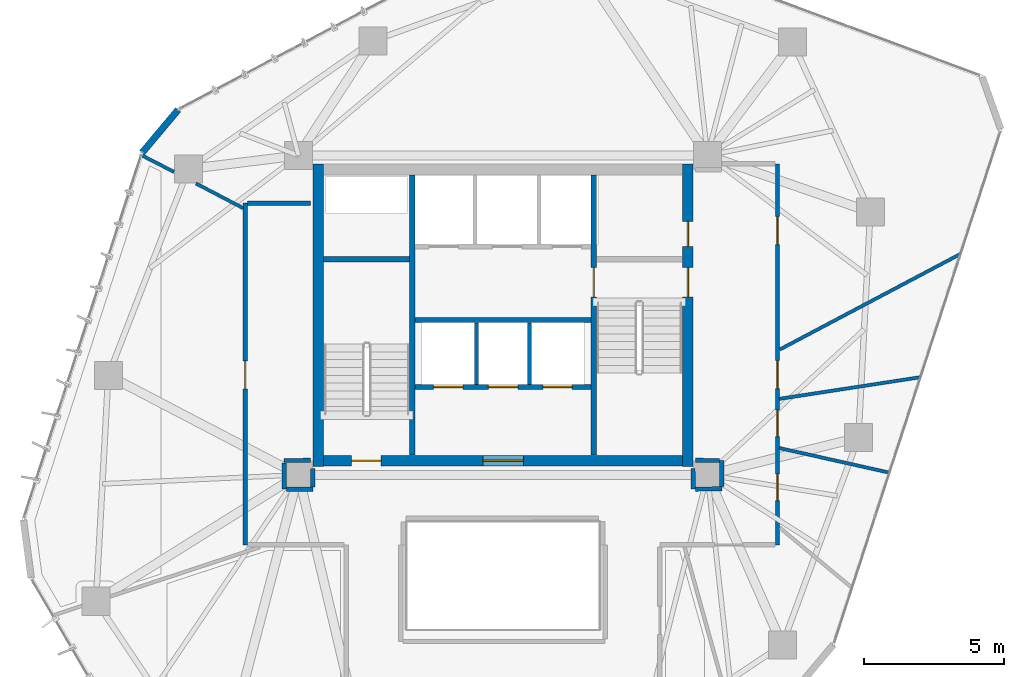
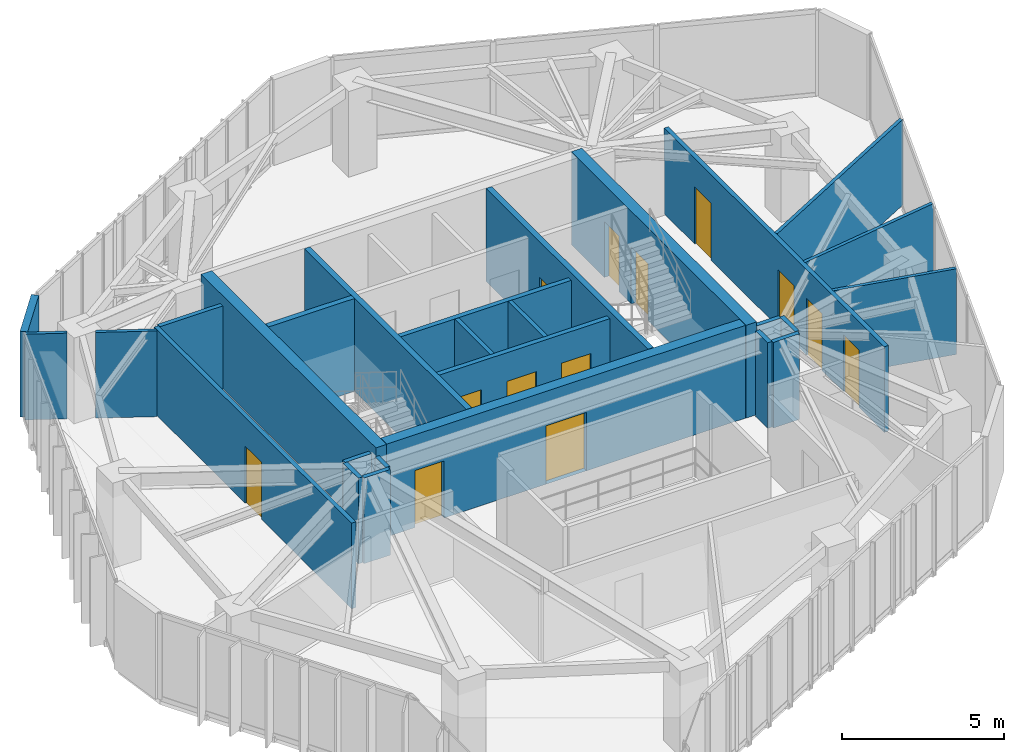
# One storey, part 16 of 19: 27 walls, 13 doors, 13 openings.
"""IFC4 building model written with IfcOpenShell, lengths in metres."""

from ifc_helpers import new_model, si_unit, direction, frame, frame_2d, origin, place, context, subcontext, project, spatial, rectangle, extrude, source, transform, mapped, material, layer, layer_set, type_object, type_shapes, element, fill, save


model = new_model("IFC4")

# Units and contexts
model_context = context("Model", 3, precision=1e-05, world=origin(), true_north=direction((0.0, 1.0)))
body_context = subcontext(model_context, "Body", "Model", "MODEL_VIEW")
ifc_project = project(units=[si_unit("LENGTHUNIT", "METRE"), si_unit("AREAUNIT", "SQUARE_METRE"), si_unit("VOLUMEUNIT", "CUBIC_METRE"), si_unit("PLANEANGLEUNIT", "RADIAN"), si_unit("MASSUNIT", "GRAM", prefix="KILO")], contexts=[model_context])

# Site, building, storey
site_placement = place(None, origin())
site = spatial("IfcSite", under=ifc_project, at=site_placement, CompositionType="ELEMENT")
building_placement = place(site_placement, origin())
building = spatial("IfcBuilding", under=site, at=building_placement, Name="Talar Marvaseh", CompositionType="ELEMENT")
storey_placement = place(building_placement, frame((0.0, 0.0, 174.0)))
storey = spatial("IfcBuildingStorey", under=building, at=storey_placement, Name="L45", CompositionType="ELEMENT", Elevation=174.0)

# Wall
ifc_material_1 = material(Name="Precast concrete C45/55", Category="concrete")
ifc_layer_1 = layer(ifc_material_1, 0.239990234375)
ifc_layer_set_1 = layer_set([ifc_layer_1], Name="Precast concrete C45/55")
wall_type_1 = type_object("IfcWallType", Name="Chamfered Hexagonal Corner Pier Wall Z3 240", PredefinedType="SOLIDWALL", material=ifc_layer_set_1)
wall_1_placement = place(storey_placement, frame((13.118408203125, 37.00146484375, 0.0), z_axis=(0.0, 0.0, 1.0), x_axis=(0.642806121031, 0.766028909875, 0.0)))
element("IfcWall", 1, at=wall_1_placement, inside=storey, type_object=wall_type_1, Name="L45 Chamfered Corner Limestone Pier 3", PredefinedType="SOLIDWALL", context=body_context, shape_type="SweptSolid", body=[
    extrude(rectangle(XDim=2.003173828125, YDim=0.239990234375, at=frame_2d((1.00146484375, 0.0))), origin(), (0.0, 0.0, 1.0), 3.22998046875),
])

# Wall, opening, door
ifc_material_2 = material(Name="Gypsum Board Partition Assembly")
ifc_layer_2 = layer(ifc_material_2, 0.155029296875)
ifc_layer_set_2 = layer_set([ifc_layer_2], Name="Gypsum Board Partition Assembly")
wall_type_2 = type_object("IfcWallType", Name="Corridor Fire-Rated Acoustic Partition 155", PredefinedType="PARTITIONING", material=ifc_layer_set_2)
wall_2_placement = place(storey_placement, frame((16.800048828125, 23.0, 0.0), z_axis=(0.0, 0.0, 1.0), x_axis=(0.0, 1.0, 0.0)))
wall_2 = element("IfcWall", 2, at=wall_2_placement, inside=storey, type_object=wall_type_2, Name="L45 Interior Partition Wall", PredefinedType="PARTITIONING", context=body_context, shape_type="SweptSolid", body=[
    extrude(rectangle(XDim=12.199951171875, YDim=0.155029296875, at=frame_2d((6.10009765625, 0.0))), origin(), (0.0, 0.0, 1.0), 3.22998046875),
])
opening_1_placement = place(wall_2_placement, frame((5.5712890625, 0.0, 0.0)))
opening_1 = element("IfcOpeningElement", 3, at=opening_1_placement, cuts=wall_2, Name="Opening DR-RM100", PredefinedType="OPENING", context=body_context, shape_type="SweptSolid", body=[
    extrude(rectangle(XDim=1.0, YDim=2.14990234375, at=frame_2d((0.5, 1.074951171875))), frame((0.0, 0.08740234375, 0.0), z_axis=(0.0, -1.0, 0.0), x_axis=(1.0, 0.0, 0.0)), (0.0, 0.0, 1.0), 0.175048828125),
])
ifc_material_3 = material(Name="Acoustic Engineered Oak Timber", Category="wood")
door_type_1 = type_object("IfcDoorType", Name="Corridor Fire-Rated Gallery Door 1000x2150", OperationType="NOTDEFINED", PredefinedType="DOOR", material=ifc_material_3)
shared_shape_1 = source(origin(), body_context, "Body", "SweptSolid", [
    extrude(rectangle(XDim=1.0, YDim=2.14990234375, at=frame_2d((0.5, 1.074951171875))), frame((0.0, 0.02490234375, 0.0), z_axis=(0.0, -1.0, 0.0), x_axis=(1.0, 0.0, 0.0)), (0.0, 0.0, 1.0), 0.050048828125),
])
type_shapes(door_type_1, [shared_shape_1])
door_1_placement = place(opening_1_placement, origin())
door_1 = element("IfcDoor", 4, at=door_1_placement, inside=storey, type_object=door_type_1, Name="L45 Archival Facsimile Boutique Door", OperationType="SINGLE_SWING_LEFT", OverallHeight=2.14990234375, OverallWidth=1.0, PredefinedType="DOOR", context=body_context, shape_type="MappedRepresentation", body=[
    mapped(shared_shape_1, transform((0.0, 0.0, 0.0), x_axis=(1.0, 0.0, 0.0), y_axis=(0.0, 1.0, 0.0), z_axis=(0.0, 0.0, 1.0), scale=1.0)),
])
fill(opening_1, door_1)

# Wall, openings, doors
wall_3_placement = place(storey_placement, frame((35.800048828125, 36.60009765625, 0.0), z_axis=(0.0, 0.0, 1.0), x_axis=(0.0, -1.0, 0.0)))
wall_3 = element("IfcWall", 5, at=wall_3_placement, inside=storey, type_object=wall_type_2, Name="L45 Interior Partition Wall", PredefinedType="PARTITIONING", context=body_context, shape_type="SweptSolid", body=[
    extrude(rectangle(XDim=13.60009765625, YDim=0.155029296875, at=frame_2d((6.800048828125, 0.0))), origin(), (0.0, 0.0, 1.0), 3.22998046875),
])
opening_2_placement = place(wall_3_placement, frame((11.07275390625, 0.0, 0.0)))
opening_2 = element("IfcOpeningElement", 6, at=opening_2_placement, cuts=wall_3, Name="Opening DR-WC095", PredefinedType="OPENING", context=body_context, shape_type="SweptSolid", body=[
    extrude(rectangle(XDim=0.949951171875, YDim=2.14990234375, at=frame_2d((0.47509765625, 1.074951171875))), frame((0.0, 0.08740234375, 0.0), z_axis=(0.0, -1.0, 0.0), x_axis=(1.0, 0.0, 0.0)), (0.0, 0.0, 1.0), 0.175048828125),
])
opening_3_placement = place(wall_3_placement, frame((8.789794921875, 0.0, 0.0)))
opening_3 = element("IfcOpeningElement", 7, at=opening_3_placement, cuts=wall_3, Name="Opening DR-WC095", PredefinedType="OPENING", context=body_context, shape_type="SweptSolid", body=[
    extrude(rectangle(XDim=0.949951171875, YDim=2.14990234375, at=frame_2d((0.47509765625, 1.074951171875))), frame((0.0, 0.08740234375, 0.0), z_axis=(0.0, -1.0, 0.0), x_axis=(1.0, 0.0, 0.0)), (0.0, 0.0, 1.0), 0.175048828125),
])
opening_4_placement = place(wall_3_placement, frame((7.023681640625, 0.0, 0.0)))
opening_4 = element("IfcOpeningElement", 8, at=opening_4_placement, cuts=wall_3, Name="Opening DR-RM100", PredefinedType="OPENING", context=body_context, shape_type="SweptSolid", body=[
    extrude(rectangle(XDim=1.0, YDim=2.14990234375, at=frame_2d((0.5, 1.074951171875))), frame((0.0, 0.08740234375, 0.0), z_axis=(0.0, -1.0, 0.0), x_axis=(1.0, 0.0, 0.0)), (0.0, 0.0, 1.0), 0.175048828125),
])
opening_5_placement = place(wall_3_placement, frame((1.883056640625, 0.0, 0.0)))
opening_5 = element("IfcOpeningElement", 9, at=opening_5_placement, cuts=wall_3, Name="Opening DR-RM100", PredefinedType="OPENING", context=body_context, shape_type="SweptSolid", body=[
    extrude(rectangle(XDim=1.0, YDim=2.14990234375, at=frame_2d((0.5, 1.074951171875))), frame((0.0, 0.08740234375, 0.0), z_axis=(0.0, -1.0, 0.0), x_axis=(1.0, 0.0, 0.0)), (0.0, 0.0, 1.0), 0.175048828125),
])
door_type_2 = type_object("IfcDoorType", Name="Washroom and Service Room Door 950x2150", OperationType="NOTDEFINED", PredefinedType="DOOR", material=ifc_material_3)
shared_shape_2 = source(origin(), body_context, "Body", "SweptSolid", [
    extrude(rectangle(XDim=0.949951171875, YDim=2.14990234375, at=frame_2d((0.47509765625, 1.074951171875))), frame((0.0, 0.02490234375, 0.0), z_axis=(0.0, -1.0, 0.0), x_axis=(1.0, 0.0, 0.0)), (0.0, 0.0, 1.0), 0.050048828125),
])
type_shapes(door_type_2, [shared_shape_2])
door_2_placement = place(opening_2_placement, origin())
door_2 = element("IfcDoor", 10, at=door_2_placement, inside=storey, type_object=door_type_2, Name="L45 Accessible WC Door", OperationType="SINGLE_SWING_LEFT", OverallHeight=2.14990234375, OverallWidth=0.949951171875, PredefinedType="DOOR", context=body_context, shape_type="MappedRepresentation", body=[
    mapped(shared_shape_2, transform((0.0, 0.0, 0.0), x_axis=(1.0, 0.0, 0.0), y_axis=(0.0, 1.0, 0.0), z_axis=(0.0, 0.0, 1.0), scale=1.0)),
])
fill(opening_2, door_2)
door_3_placement = place(opening_3_placement, origin())
door_3 = element("IfcDoor", 11, at=door_3_placement, inside=storey, type_object=door_type_2, Name="L45 WC Public Washrooms Door", OperationType="SINGLE_SWING_RIGHT", OverallHeight=2.14990234375, OverallWidth=0.949951171875, PredefinedType="DOOR", context=body_context, shape_type="MappedRepresentation", body=[
    mapped(shared_shape_2, transform((0.0, 0.0, 0.0), x_axis=(1.0, 0.0, 0.0), y_axis=(0.0, 1.0, 0.0), z_axis=(0.0, 0.0, 1.0), scale=1.0)),
])
fill(opening_3, door_3)
door_4_placement = place(opening_4_placement, origin())
door_4 = element("IfcDoor", 12, at=door_4_placement, inside=storey, type_object=door_type_1, Name="L45 Artisan Craft Showroom Door", OperationType="SINGLE_SWING_LEFT", OverallHeight=2.14990234375, OverallWidth=1.0, PredefinedType="DOOR", context=body_context, shape_type="MappedRepresentation", body=[
    mapped(shared_shape_1, transform((0.0, 0.0, 0.0), x_axis=(1.0, 0.0, 0.0), y_axis=(0.0, 1.0, 0.0), z_axis=(0.0, 0.0, 1.0), scale=1.0)),
])
fill(opening_4, door_4)
door_5_placement = place(opening_5_placement, origin())
door_5 = element("IfcDoor", 13, at=door_5_placement, inside=storey, type_object=door_type_1, Name="L45 Conservation Briefing Room Door", OperationType="SINGLE_SWING_RIGHT", OverallHeight=2.14990234375, OverallWidth=1.0, PredefinedType="DOOR", context=body_context, shape_type="MappedRepresentation", body=[
    mapped(shared_shape_1, transform((0.0, 0.0, 0.0), x_axis=(1.0, 0.0, 0.0), y_axis=(0.0, 1.0, 0.0), z_axis=(0.0, 0.0, 1.0), scale=1.0)),
])
fill(opening_5, door_5)

# Walls
wall_4_placement = place(storey_placement, frame((16.883544921875, 35.199951171875, 0.0), z_axis=(0.0, 0.0, 1.0), x_axis=(1.0, 0.0, 0.0)))
element("IfcWall", 14, at=wall_4_placement, inside=storey, type_object=wall_type_2, Name="L45 Interior Partition Wall", PredefinedType="PARTITIONING", context=body_context, shape_type="SweptSolid", body=[
    extrude(rectangle(XDim=2.246337890625, YDim=0.155029296875, at=frame_2d((1.123046875, 0.0))), origin(), (0.0, 0.0, 1.0), 3.22998046875),
])
wall_5_placement = place(storey_placement, frame((19.1298828125, 26.0146484375, 0.0), z_axis=(0.0, 0.0, 1.0), x_axis=(-0.99999026157, -0.004413248818, 0.0)))
element("IfcWall", 15, at=wall_5_placement, inside=storey, type_object=wall_type_2, Name="L45 Interior Partition Wall", PredefinedType="PARTITIONING", context=body_context, shape_type="SweptSolid", body=[
    extrude(rectangle(XDim=0.9404296875, YDim=0.155029296875, at=frame_2d((0.47021484375, 0.0))), origin(), (0.0, 0.0, 1.0), 3.22998046875),
])
wall_6_placement = place(storey_placement, frame((18.189697265625, 25.927001953125, 0.0), z_axis=(0.0, 0.0, 1.0), x_axis=(0.002078997586, -0.999997838882, 0.0)))
element("IfcWall", 16, at=wall_6_placement, inside=storey, type_object=wall_type_2, Name="L45 Interior Partition Wall", PredefinedType="PARTITIONING", context=body_context, shape_type="SweptSolid", body=[
    extrude(rectangle(XDim=0.939453125, YDim=0.155029296875, at=frame_2d((0.4697265625, 0.0))), origin(), (0.0, 0.0, 1.0), 3.22998046875),
])
wall_7_placement = place(storey_placement, frame((18.275146484375, 24.987548828125, 0.0), z_axis=(0.0, 0.0, 1.0), x_axis=(0.999999692748, 0.0007839036, 0.0)))
element("IfcWall", 17, at=wall_7_placement, inside=storey, type_object=wall_type_2, Name="L45 Interior Partition Wall", PredefinedType="PARTITIONING", context=body_context, shape_type="SweptSolid", body=[
    extrude(rectangle(XDim=0.934326171875, YDim=0.155029296875, at=frame_2d((0.46728515625, 0.0))), origin(), (0.0, 0.0, 1.0), 3.22998046875),
])
wall_8_placement = place(storey_placement, frame((19.210205078125, 25.072021484375, 0.0), z_axis=(0.0, 0.0, 1.0), x_axis=(0.007420945932, 0.999972464402, 0.0)))
element("IfcWall", 18, at=wall_8_placement, inside=storey, type_object=wall_type_2, Name="L45 Interior Partition Wall", PredefinedType="PARTITIONING", context=body_context, shape_type="SweptSolid", body=[
    extrude(rectangle(XDim=0.657958984375, YDim=0.155029296875, at=frame_2d((0.3291015625, 0.0))), origin(), (0.0, 0.0, 1.0), 3.22998046875),
])
wall_9_placement = place(storey_placement, frame((32.784912109375, 25.72998046875, 0.0), z_axis=(0.0, 0.0, 1.0), x_axis=(0.007570553288, -0.999971342951, 0.0)))
element("IfcWall", 19, at=wall_9_placement, inside=storey, type_object=wall_type_2, Name="L45 Interior Partition Wall", PredefinedType="PARTITIONING", context=body_context, shape_type="SweptSolid", body=[
    extrude(rectangle(XDim=0.74169921875, YDim=0.155029296875, at=frame_2d((0.370849609375, 0.0))), origin(), (0.0, 0.0, 1.0), 3.22998046875),
])
wall_10_placement = place(storey_placement, frame((32.8740234375, 24.9892578125, 0.0), z_axis=(0.0, 0.0, 1.0), x_axis=(0.999934835738, 0.01141596595, 0.0)))
element("IfcWall", 20, at=wall_10_placement, inside=storey, type_object=wall_type_2, Name="L45 Interior Partition Wall", PredefinedType="PARTITIONING", context=body_context, shape_type="SweptSolid", body=[
    extrude(rectangle(XDim=0.94091796875, YDim=0.155029296875, at=frame_2d((0.470458984375, 0.0))), origin(), (0.0, 0.0, 1.0), 3.22998046875),
])
wall_11_placement = place(storey_placement, frame((33.814697265625, 25.08349609375, 0.0), z_axis=(0.0, 0.0, 1.0), x_axis=(-0.004477173984, 0.999989977406, 0.0)))
element("IfcWall", 21, at=wall_11_placement, inside=storey, type_object=wall_type_2, Name="L45 Interior Partition Wall", PredefinedType="PARTITIONING", context=body_context, shape_type="SweptSolid", body=[
    extrude(rectangle(XDim=0.927001953125, YDim=0.155029296875, at=frame_2d((0.46337890625, 0.0))), origin(), (0.0, 0.0, 1.0), 3.22998046875),
])
wall_12_placement = place(storey_placement, frame((33.72705078125, 26.010986328125, 0.0), z_axis=(0.0, 0.0, 1.0), x_axis=(-0.999990868706, 0.004273465251, 0.0)))
element("IfcWall", 22, at=wall_12_placement, inside=storey, type_object=wall_type_2, Name="L45 Interior Partition Wall", PredefinedType="PARTITIONING", context=body_context, shape_type="SweptSolid", body=[
    extrude(rectangle(XDim=0.85693359375, YDim=0.155029296875, at=frame_2d((0.428466796875, 0.0))), origin(), (0.0, 0.0, 1.0), 3.22998046875),
])
ifc_layer_3 = layer(ifc_material_2, 0.1201171875)
ifc_layer_set_3 = layer_set([ifc_layer_3], Name="Gypsum Board Partition Assembly")
wall_type_3 = type_object("IfcWallType", Name="Demountable Studio Room Partition 120", PredefinedType="PARTITIONING", material=ifc_layer_set_3)
wall_13_placement = place(storey_placement, frame((35.86328125, 26.455810546875, 0.0), z_axis=(0.0, 0.0, 1.0), x_axis=(0.975883640592, -0.21829136498, 0.0)))
element("IfcWall", 23, at=wall_13_placement, inside=storey, type_object=wall_type_3, Name="L45 Interior Partition Wall", PredefinedType="PARTITIONING", context=body_context, shape_type="SweptSolid", body=[
    extrude(rectangle(XDim=4.00732421875, YDim=0.1201171875, at=frame_2d((2.003662109375, 0.0))), origin(), (0.0, 0.0, 1.0), 3.22998046875),
])
wall_14_placement = place(storey_placement, frame((35.8642578125, 28.2099609375, 0.0), z_axis=(0.0, 0.0, 1.0), x_axis=(0.988399480334, 0.151876486906, 0.0)))
element("IfcWall", 24, at=wall_14_placement, inside=storey, type_object=wall_type_3, Name="L45 Interior Partition Wall", PredefinedType="PARTITIONING", context=body_context, shape_type="SweptSolid", body=[
    extrude(rectangle(XDim=5.076416015625, YDim=0.1201171875, at=frame_2d((2.5380859375, 0.0))), origin(), (0.0, 0.0, 1.0), 3.22998046875),
])
wall_15_placement = place(storey_placement, frame((35.883544921875, 29.97412109375, 0.0), z_axis=(0.0, 0.0, 1.0), x_axis=(0.884048985964, 0.467394255865, 0.0)))
element("IfcWall", 25, at=wall_15_placement, inside=storey, type_object=wall_type_3, Name="L45 Interior Partition Wall", PredefinedType="PARTITIONING", context=body_context, shape_type="SweptSolid", body=[
    extrude(rectangle(XDim=7.275146484375, YDim=0.1201171875, at=frame_2d((3.6376953125, 0.0))), origin(), (0.0, 0.0, 1.0), 3.22998046875),
])
wall_16_placement = place(storey_placement, frame((16.716552734375, 35.023681640625, 0.0), z_axis=(0.0, 0.0, 1.0), x_axis=(-0.886255547382, 0.463196615633, 0.0)))
element("IfcWall", 26, at=wall_16_placement, inside=storey, type_object=wall_type_3, Name="L45 Interior Partition Wall", PredefinedType="PARTITIONING", context=body_context, shape_type="SweptSolid", body=[
    extrude(rectangle(XDim=1.8916015625, YDim=0.1201171875, at=frame_2d((0.94580078125, 0.0))), origin(), (0.0, 0.0, 1.0), 3.22998046875),
])
wall_17_placement = place(storey_placement, frame((14.260009765625, 36.31005859375, 0.0), z_axis=(0.0, 0.0, 1.0), x_axis=(-0.889011747183, 0.457884388651, 0.0)))
element("IfcWall", 27, at=wall_17_placement, inside=storey, type_object=wall_type_3, Name="L45 Interior Partition Wall", PredefinedType="PARTITIONING", context=body_context, shape_type="SweptSolid", body=[
    extrude(rectangle(XDim=1.295654296875, YDim=0.1201171875, at=frame_2d((0.64794921875, 0.0))), origin(), (0.0, 0.0, 1.0), 3.22998046875),
])
ifc_layer_4 = layer(ifc_material_1, 0.14501953125)
ifc_layer_set_4 = layer_set([ifc_layer_4], Name="Precast concrete C45/55")
wall_type_4 = type_object("IfcWallType", Name="Fire-Rated Lift Divider Wall 145", PredefinedType="SOLIDWALL", material=ifc_layer_set_4)
for number, where, z_axis, x_axis, name in (
    (28, (25.050048828125, 28.719970703125, 0.0), (0.0, 0.0, 1.0), (0.0, 1.0, 0.0), "L45 PL-H1/PL-H2 Divider"),
    (29, (26.949951171875, 28.719970703125, 0.0), (0.0, 0.0, 1.0), (0.0, 1.0, 0.0), "L45 PL-H2/PL-H3 Divider"),
):
    element("IfcWall", number, at=place(storey_placement, frame(where, z_axis=z_axis, x_axis=x_axis)), inside=storey, type_object=wall_type_4, Name=name, PredefinedType="SOLIDWALL", context=body_context, shape_type="SweptSolid", body=[
        extrude(rectangle(XDim=2.20654296875, YDim=0.14501953125, at=frame_2d((1.103271484375, 0.0))), origin(), (0.0, 0.0, 1.0), 3.22998046875),
    ])
ifc_layer_5 = layer(ifc_material_1, 0.175048828125)
ifc_layer_set_5 = layer_set([ifc_layer_5], Name="Precast concrete C45/55")
wall_type_5 = type_object("IfcWallType", Name="Fire-Rated Lift Hoistway Enclosure Wall 175", PredefinedType="SOLIDWALL", material=ifc_layer_set_5)
wall_18_placement = place(storey_placement, frame((22.860107421875, 31.02001953125, 0.0), z_axis=(0.0, 0.0, 1.0), x_axis=(1.0, 0.0, 0.0)))
element("IfcWall", 30, at=wall_18_placement, inside=storey, type_object=wall_type_5, Name="L45 Firefighting Lobby South Smoke Wall", PredefinedType="SOLIDWALL", context=body_context, shape_type="SweptSolid", body=[
    extrude(rectangle(XDim=6.27978515625, YDim=0.175048828125, at=frame_2d((3.139892578125, 0.0))), origin(), (0.0, 0.0, 1.0), 3.22998046875),
])

# Wall, openings, doors
wall_19_placement = place(storey_placement, frame((22.860107421875, 28.639892578125, 0.0), z_axis=(0.0, 0.0, 1.0), x_axis=(1.0, 0.0, 0.0)))
wall_19 = element("IfcWall", 31, at=wall_19_placement, inside=storey, type_object=wall_type_5, Name="L45 High-Rise Lift Bank Front Wall", PredefinedType="SOLIDWALL", context=body_context, shape_type="SweptSolid", body=[
    extrude(rectangle(XDim=6.27978515625, YDim=0.175048828125, at=frame_2d((3.139892578125, 0.0))), origin(), (0.0, 0.0, 1.0), 3.22998046875),
])
opening_6_placement = place(wall_19_placement, frame((0.659912109375, 0.0, 0.0)))
opening_6 = element("IfcOpeningElement", 32, at=opening_6_placement, cuts=wall_19, Name="Opening LD-PLH1", PredefinedType="OPENING", context=body_context, shape_type="SweptSolid", body=[
    extrude(rectangle(XDim=1.050048828125, YDim=2.14990234375, at=frame_2d((0.52490234375, 1.074951171875))), frame((0.0, 0.09765625, 0.0), z_axis=(0.0, -1.0, 0.0), x_axis=(1.0, 0.0, 0.0)), (0.0, 0.0, 1.0), 0.195068359375),
])
opening_7_placement = place(wall_19_placement, frame((2.6201171875, 0.0, 0.0)))
opening_7 = element("IfcOpeningElement", 33, at=opening_7_placement, cuts=wall_19, Name="Opening LD-PLH2", PredefinedType="OPENING", context=body_context, shape_type="SweptSolid", body=[
    extrude(rectangle(XDim=1.050048828125, YDim=2.14990234375, at=frame_2d((0.52490234375, 1.074951171875))), frame((0.0, 0.09765625, 0.0), z_axis=(0.0, -1.0, 0.0), x_axis=(1.0, 0.0, 0.0)), (0.0, 0.0, 1.0), 0.195068359375),
])
opening_8_placement = place(wall_19_placement, frame((4.56005859375, 0.0, 0.0)))
opening_8 = element("IfcOpeningElement", 34, at=opening_8_placement, cuts=wall_19, Name="Opening LD-PLH3", PredefinedType="OPENING", context=body_context, shape_type="SweptSolid", body=[
    extrude(rectangle(XDim=1.050048828125, YDim=2.14990234375, at=frame_2d((0.52490234375, 1.074951171875))), frame((0.0, 0.09765625, 0.0), z_axis=(0.0, -1.0, 0.0), x_axis=(1.0, 0.0, 0.0)), (0.0, 0.0, 1.0), 0.195068359375),
])
ifc_material_4 = material(Name="Stainless Steel Grade 316", Category="steel")
door_type_3 = type_object("IfcDoorType", Name="Automatic Sliding Lift Landing Door 1050x2150", OperationType="NOTDEFINED", PredefinedType="DOOR", material=ifc_material_4)
shared_shape_3 = source(origin(), body_context, "Body", "SweptSolid", [
    extrude(rectangle(XDim=1.050048828125, YDim=2.14990234375, at=frame_2d((0.52490234375, 1.074951171875))), frame((0.0, 0.02490234375, 0.0), z_axis=(0.0, -1.0, 0.0), x_axis=(1.0, 0.0, 0.0)), (0.0, 0.0, 1.0), 0.050048828125),
])
type_shapes(door_type_3, [shared_shape_3])
door_6_placement = place(opening_6_placement, origin())
door_6 = element("IfcDoor", 35, at=door_6_placement, inside=storey, type_object=door_type_3, Name="L45 Lift PL-H1 Sliding Landing Door", OperationType="SLIDING_TO_LEFT", OverallHeight=2.14990234375, OverallWidth=1.050048828125, PredefinedType="DOOR", context=body_context, shape_type="MappedRepresentation", body=[
    mapped(shared_shape_3, transform((0.0, 0.0, 0.0), x_axis=(1.0, 0.0, 0.0), y_axis=(0.0, 1.0, 0.0), z_axis=(0.0, 0.0, 1.0), scale=1.0)),
])
fill(opening_6, door_6)
door_7_placement = place(opening_7_placement, origin())
door_7 = element("IfcDoor", 36, at=door_7_placement, inside=storey, type_object=door_type_3, Name="L45 Lift PL-H2 Sliding Landing Door", OperationType="SLIDING_TO_LEFT", OverallHeight=2.14990234375, OverallWidth=1.050048828125, PredefinedType="DOOR", context=body_context, shape_type="MappedRepresentation", body=[
    mapped(shared_shape_3, transform((0.0, 0.0, 0.0), x_axis=(1.0, 0.0, 0.0), y_axis=(0.0, 1.0, 0.0), z_axis=(0.0, 0.0, 1.0), scale=1.0)),
])
fill(opening_7, door_7)
door_8_placement = place(opening_8_placement, origin())
door_8 = element("IfcDoor", 37, at=door_8_placement, inside=storey, type_object=door_type_3, Name="L45 Lift PL-H3 Sliding Landing Door", OperationType="SLIDING_TO_LEFT", OverallHeight=2.14990234375, OverallWidth=1.050048828125, PredefinedType="DOOR", context=body_context, shape_type="MappedRepresentation", body=[
    mapped(shared_shape_3, transform((0.0, 0.0, 0.0), x_axis=(1.0, 0.0, 0.0), y_axis=(0.0, 1.0, 0.0), z_axis=(0.0, 0.0, 1.0), scale=1.0)),
])
fill(opening_8, door_8)

# Wall
ifc_material_5 = material(Name="Concrete C60/75", Category="concrete")
ifc_layer_6 = layer(ifc_material_5, 0.3798828125)
ifc_layer_set_6 = layer_set([ifc_layer_6], Name="Concrete C60/75")
wall_type_6 = type_object("IfcWallType", Name="Mid Core Reinforced Concrete Shear Wall 380", PredefinedType="SHEAR", material=ifc_layer_set_6)
wall_20_placement = place(storey_placement, frame((19.39990234375, 25.800048828125, 0.0), z_axis=(0.0, 0.0, 1.0), x_axis=(0.0, 1.0, 0.0)))
element("IfcWall", 38, at=wall_20_placement, inside=storey, type_object=wall_type_6, Name="L45 West Core Shear Wall", PredefinedType="SHEAR", context=body_context, shape_type="SweptSolid", body=[
    extrude(rectangle(XDim=10.800048828125, YDim=0.3798828125, at=frame_2d((5.39990234375, 0.0))), origin(), (0.0, 0.0, 1.0), 3.5),
])

# Wall, openings, doors
wall_21_placement = place(storey_placement, frame((32.60009765625, 36.60009765625, 0.0), z_axis=(0.0, 0.0, 1.0), x_axis=(0.0, -1.0, 0.0)))
wall_21 = element("IfcWall", 39, at=wall_21_placement, inside=storey, type_object=wall_type_6, Name="L45 East Core Shear Wall", PredefinedType="SHEAR", context=body_context, shape_type="SweptSolid", body=[
    extrude(rectangle(XDim=10.800048828125, YDim=0.3798828125, at=frame_2d((5.39990234375, 0.0))), origin(), (0.0, 0.0, 1.0), 3.5),
])
opening_9_placement = place(wall_21_placement, frame((3.699951171875, 0.0, 0.0)))
opening_9 = element("IfcOpeningElement", 40, at=opening_9_placement, cuts=wall_21, Name="Opening DR-ST105", PredefinedType="OPENING", context=body_context, shape_type="SweptSolid", body=[
    extrude(rectangle(XDim=1.050048828125, YDim=2.14990234375, at=frame_2d((0.52490234375, 1.074951171875))), frame((0.0, 0.199951171875, 0.0), z_axis=(0.0, -1.0, 0.0), x_axis=(1.0, 0.0, 0.0)), (0.0, 0.0, 1.0), 0.39990234375),
])
opening_10_placement = place(wall_21_placement, frame((2.050048828125, 0.0, 0.0)))
opening_10 = element("IfcOpeningElement", 41, at=opening_10_placement, cuts=wall_21, Name="Opening DR-BOH090", PredefinedType="OPENING", context=body_context, shape_type="SweptSolid", body=[
    extrude(rectangle(XDim=0.89990234375, YDim=2.10009765625, at=frame_2d((0.449951171875, 1.050048828125))), frame((0.0, 0.199951171875, 0.0), z_axis=(0.0, -1.0, 0.0), x_axis=(1.0, 0.0, 0.0)), (0.0, 0.0, 1.0), 0.39990234375),
])
ifc_material_6 = material(Name="Fire-Rated Steel Door Leaf", Category="steel")
door_type_4 = type_object("IfcDoorType", Name="Protected Exit Stair Fire Door 1050x2150", OperationType="NOTDEFINED", PredefinedType="DOOR", material=ifc_material_6)
shared_shape_4 = source(origin(), body_context, "Body", "SweptSolid", [
    extrude(rectangle(XDim=1.050048828125, YDim=2.14990234375, at=frame_2d((0.52490234375, 1.074951171875))), frame((0.0, 0.02490234375, 0.0), z_axis=(0.0, -1.0, 0.0), x_axis=(1.0, 0.0, 0.0)), (0.0, 0.0, 1.0), 0.050048828125),
])
type_shapes(door_type_4, [shared_shape_4])
door_9_placement = place(opening_9_placement, origin())
door_9 = element("IfcDoor", 42, at=door_9_placement, inside=storey, type_object=door_type_4, Name="L45 Stair ST-2 Corridor Exit Door", OperationType="SINGLE_SWING_LEFT", OverallHeight=2.14990234375, OverallWidth=1.050048828125, PredefinedType="DOOR", context=body_context, shape_type="MappedRepresentation", body=[
    mapped(shared_shape_4, transform((0.0, 0.0, 0.0), x_axis=(1.0, 0.0, 0.0), y_axis=(0.0, 1.0, 0.0), z_axis=(0.0, 0.0, 1.0), scale=1.0)),
])
fill(opening_9, door_9)
door_type_5 = type_object("IfcDoorType", Name="Core Back-of-House Service Door 900x2100", OperationType="NOTDEFINED", PredefinedType="DOOR", material=ifc_material_6)
shared_shape_5 = source(origin(), body_context, "Body", "SweptSolid", [
    extrude(rectangle(XDim=0.89990234375, YDim=2.10009765625, at=frame_2d((0.449951171875, 1.050048828125))), frame((0.0, 0.02490234375, 0.0), z_axis=(0.0, -1.0, 0.0), x_axis=(1.0, 0.0, 0.0)), (0.0, 0.0, 1.0), 0.050048828125),
])
type_shapes(door_type_5, [shared_shape_5])
door_10_placement = place(opening_10_placement, origin())
door_10 = element("IfcDoor", 43, at=door_10_placement, inside=storey, type_object=door_type_5, Name="L45 Store Core East Archive Room Door", OperationType="SINGLE_SWING_RIGHT", OverallHeight=2.10009765625, OverallWidth=0.89990234375, PredefinedType="DOOR", context=body_context, shape_type="MappedRepresentation", body=[
    mapped(shared_shape_5, transform((0.0, 0.0, 0.0), x_axis=(1.0, 0.0, 0.0), y_axis=(0.0, 1.0, 0.0), z_axis=(0.0, 0.0, 1.0), scale=1.0)),
])
fill(opening_10, door_10)

wall_22_placement = place(storey_placement, frame((32.39990234375, 26.0, 0.0), z_axis=(0.0, 0.0, 1.0), x_axis=(-1.0, 0.0, 0.0)))
wall_22 = element("IfcWall", 44, at=wall_22_placement, inside=storey, type_object=wall_type_6, Name="L45 South Core Shear Wall", PredefinedType="SHEAR", context=body_context, shape_type="SweptSolid", body=[
    extrude(rectangle(XDim=12.7998046875, YDim=0.3798828125, at=frame_2d((6.39990234375, 0.0))), origin(), (0.0, 0.0, 1.0), 3.5),
])
opening_11_placement = place(wall_22_placement, frame((10.75, 0.0, 0.0)))
opening_11 = element("IfcOpeningElement", 45, at=opening_11_placement, cuts=wall_22, Name="Opening DR-ST105", PredefinedType="OPENING", context=body_context, shape_type="SweptSolid", body=[
    extrude(rectangle(XDim=1.050048828125, YDim=2.14990234375, at=frame_2d((0.52490234375, 1.074951171875))), frame((0.0, 0.199951171875, 0.0), z_axis=(0.0, -1.0, 0.0), x_axis=(1.0, 0.0, 0.0)), (0.0, 0.0, 1.0), 0.39990234375),
])
opening_12_placement = place(wall_22_placement, frame((5.669921875, 0.0, 0.0)))
opening_12 = element("IfcOpeningElement", 46, at=opening_12_placement, cuts=wall_22, Name="Opening DR-LBY145", PredefinedType="OPENING", context=body_context, shape_type="SweptSolid", body=[
    extrude(rectangle(XDim=1.449951171875, YDim=2.199951171875, at=frame_2d((0.72509765625, 1.10009765625))), frame((0.0, 0.199951171875, 0.0), z_axis=(0.0, -1.0, 0.0), x_axis=(1.0, 0.0, 0.0)), (0.0, 0.0, 1.0), 0.39990234375),
])
door_11_placement = place(opening_11_placement, origin())
door_11 = element("IfcDoor", 47, at=door_11_placement, inside=storey, type_object=door_type_4, Name="L45 Stair ST-1 Exit Door", OperationType="SINGLE_SWING_RIGHT", OverallHeight=2.14990234375, OverallWidth=1.050048828125, PredefinedType="DOOR", context=body_context, shape_type="MappedRepresentation", body=[
    mapped(shared_shape_4, transform((0.0, 0.0, 0.0), x_axis=(1.0, 0.0, 0.0), y_axis=(0.0, 1.0, 0.0), z_axis=(0.0, 0.0, 1.0), scale=1.0)),
])
fill(opening_11, door_11)
door_type_6 = type_object("IfcDoorType", Name="Core Lift Lobby Double Smoke Door 1450x2200", OperationType="NOTDEFINED", PredefinedType="DOOR", material=ifc_material_6)
shared_shape_6 = source(origin(), body_context, "Body", "SweptSolid", [
    extrude(rectangle(XDim=1.449951171875, YDim=2.199951171875, at=frame_2d((0.72509765625, 1.10009765625))), frame((0.0, 0.02490234375, 0.0), z_axis=(0.0, -1.0, 0.0), x_axis=(1.0, 0.0, 0.0)), (0.0, 0.0, 1.0), 0.050048828125),
])
type_shapes(door_type_6, [shared_shape_6])
door_12_placement = place(opening_12_placement, origin())
door_12 = element("IfcDoor", 48, at=door_12_placement, inside=storey, type_object=door_type_6, Name="L45 Passenger Lift Lobby Entrance Door", OperationType="DOUBLE_DOOR_SINGLE_SWING", OverallHeight=2.199951171875, OverallWidth=1.449951171875, PredefinedType="DOOR", context=body_context, shape_type="MappedRepresentation", body=[
    mapped(shared_shape_6, transform((0.0, 0.0, 0.0), x_axis=(1.0, 0.0, 0.0), y_axis=(0.0, 1.0, 0.0), z_axis=(0.0, 0.0, 1.0), scale=1.0)),
])
fill(opening_12, door_12)

# Wall
ifc_material_7 = material(Name="Concrete C50/60", Category="concrete")
ifc_layer_7 = layer(ifc_material_7, 0.199951171875)
ifc_layer_set_7 = layer_set([ifc_layer_7], Name="Concrete C50/60")
wall_type_7 = type_object("IfcWallType", Name="Stair Shaft Structural Concrete Shear Wall 200", PredefinedType="SHEAR", material=ifc_layer_set_7)
wall_23_placement = place(storey_placement, frame((22.760009765625, 26.199951171875, 0.0), z_axis=(0.0, 0.0, 1.0), x_axis=(0.0, 1.0, 0.0)))
element("IfcWall", 49, at=wall_23_placement, inside=storey, type_object=wall_type_7, Name="L45 Core West Stair Shear Wall", PredefinedType="SHEAR", context=body_context, shape_type="SweptSolid", body=[
    extrude(rectangle(XDim=10.0, YDim=0.199951171875, at=frame_2d((5.0, 0.0))), origin(), (0.0, 0.0, 1.0), 3.5),
])

# Wall, opening, door
wall_24_placement = place(storey_placement, frame((29.239990234375, 26.199951171875, 0.0), z_axis=(0.0, 0.0, 1.0), x_axis=(0.0, 1.0, 0.0)))
wall_24 = element("IfcWall", 50, at=wall_24_placement, inside=storey, type_object=wall_type_7, Name="L45 Core East Stair Shear Wall", PredefinedType="SHEAR", context=body_context, shape_type="SweptSolid", body=[
    extrude(rectangle(XDim=10.0, YDim=0.199951171875, at=frame_2d((5.0, 0.0))), origin(), (0.0, 0.0, 1.0), 3.5),
])
opening_13_placement = place(wall_24_placement, frame((5.64990234375, 0.0, 0.0)))
opening_13 = element("IfcOpeningElement", 51, at=opening_13_placement, cuts=wall_24, Name="Opening DR-ST105", PredefinedType="OPENING", context=body_context, shape_type="SweptSolid", body=[
    extrude(rectangle(XDim=1.050048828125, YDim=2.14990234375, at=frame_2d((0.52490234375, 1.074951171875))), frame((0.0, 0.10986328125, 0.0), z_axis=(0.0, -1.0, 0.0), x_axis=(1.0, 0.0, 0.0)), (0.0, 0.0, 1.0), 0.219970703125),
])
door_13_placement = place(opening_13_placement, origin())
door_13 = element("IfcDoor", 52, at=door_13_placement, inside=storey, type_object=door_type_4, Name="L45 Firefighting Lobby to Stair ST-2 Door", OperationType="SINGLE_SWING_LEFT", OverallHeight=2.14990234375, OverallWidth=1.050048828125, PredefinedType="DOOR", context=body_context, shape_type="MappedRepresentation", body=[
    mapped(shared_shape_4, transform((0.0, 0.0, 0.0), x_axis=(1.0, 0.0, 0.0), y_axis=(0.0, 1.0, 0.0), z_axis=(0.0, 0.0, 1.0), scale=1.0)),
])
fill(opening_13, door_13)

# Wall
wall_25_placement = place(storey_placement, frame((19.60009765625, 33.199951171875, 0.0), z_axis=(0.0, 0.0, 1.0), x_axis=(1.0, 0.0, 0.0)))
element("IfcWall", 53, at=wall_25_placement, inside=storey, type_object=wall_type_7, Name="L45 Stair ST-1 North Shear Wall", PredefinedType="SHEAR", context=body_context, shape_type="SweptSolid", body=[
    extrude(rectangle(XDim=3.059814453125, YDim=0.199951171875, at=frame_2d((1.52978515625, 0.0))), origin(), (0.0, 0.0, 1.0), 3.5),
])

save(model, "model.ifc")
